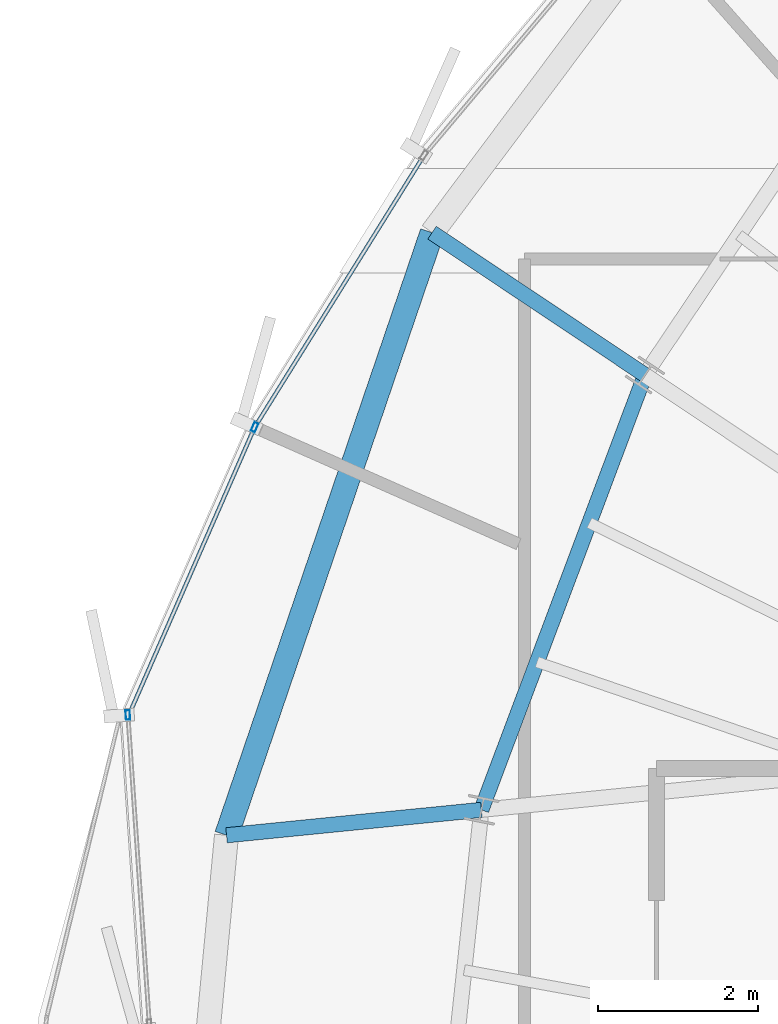
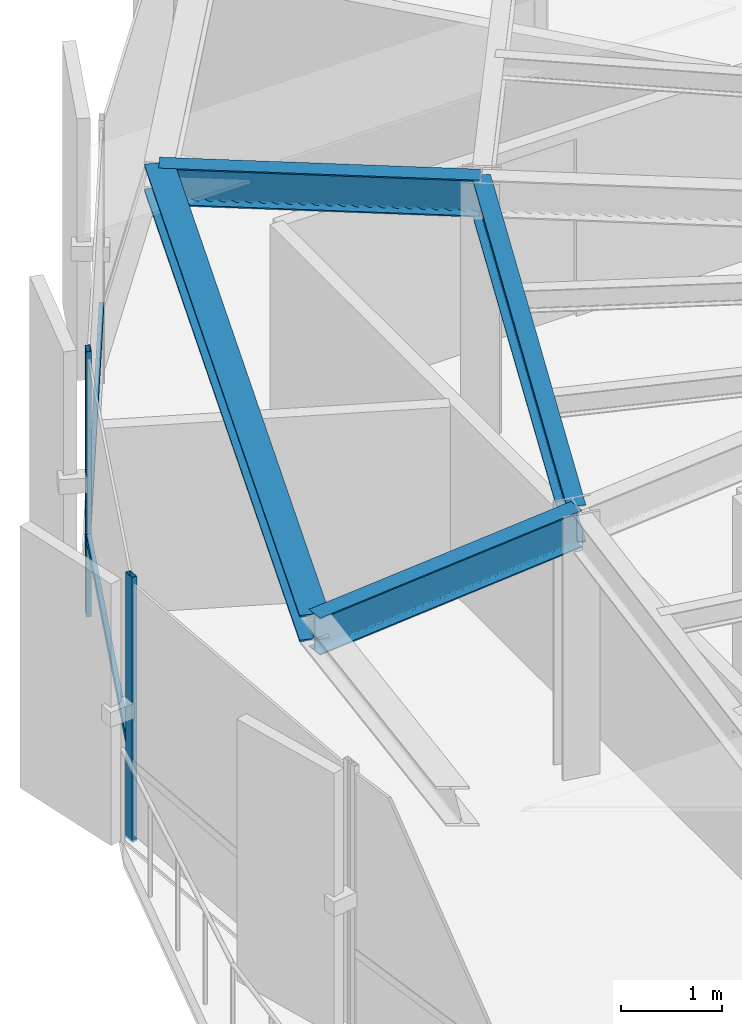
# One storey, part 11 of 32: 4 beams, 4 members, 1 element without a shape of its own.
"""IFC4 building model written with IfcOpenShell, lengths in metres."""

from ifc_helpers import new_model, si_unit, direction, frame, origin, origin_2d, place, context, subcontext, project, spatial, hollow_rectangle, i_section, extrude, source, transform, mapped, material, layer, layer_set, material_profile, profile_set, type_object, element, aggregate, save


model = new_model("IFC4")

# Units and contexts
model_context = context("Model", 3, precision=1e-05, world=origin(), true_north=direction((0.0, 1.0)))
body_context = subcontext(model_context, "Body", "Model", "MODEL_VIEW")
ifc_project = project(units=[si_unit("LENGTHUNIT", "METRE"), si_unit("AREAUNIT", "SQUARE_METRE"), si_unit("VOLUMEUNIT", "CUBIC_METRE"), si_unit("PLANEANGLEUNIT", "RADIAN"), si_unit("MASSUNIT", "GRAM", prefix="KILO"), si_unit("THERMODYNAMICTEMPERATUREUNIT", "KELVIN")], contexts=[model_context])

# Site, building, storey
site_placement = place(None, origin())
site = spatial("IfcSite", under=ifc_project, at=site_placement, CompositionType="ELEMENT")
building_placement = place(site_placement, origin())
building = spatial("IfcBuilding", under=site, at=building_placement, Name="Kethvar Cultural Tower", CompositionType="ELEMENT")
storey_placement = place(building_placement, frame((0.0, 0.0, 252.550048828125)))
storey = spatial("IfcBuildingStorey", under=building, at=storey_placement, Name="L66", CompositionType="ELEMENT", Elevation=252.550048828125)

# Beams
ifc_material_1 = material(Name="Steel S355J2", Category="steel")
ifc_material_profile_1 = material_profile(ifc_material_1, i_section(OverallWidth=0.18994140625, OverallDepth=0.449951171875, WebThickness=0.009521484375, FlangeThickness=0.0146484375, FilletRadius=0.02099609375, at=origin_2d()), Name="Steel S355J2 — IPE450")
ifc_profile_set_1 = profile_set([ifc_material_profile_1], Name="Steel S355J2 — IPE450")
beam_type_1 = type_object("IfcBeamType", Name="BM-IPE450", PredefinedType="BEAM", material=ifc_profile_set_1)
shared_shape_1 = source(origin(), body_context, "Body", "SweptSolid", [
    extrude(i_section(OverallWidth=0.18994140625, OverallDepth=0.449951171875, WebThickness=0.009521484375, FlangeThickness=0.0146484375, FilletRadius=0.02099609375, at=origin_2d()), origin(), (0.0, 0.0, 1.0), 3.2001953125),
])
beam_1_placement = place(storey_placement, frame((32.3125, 30.681884765625, 2.98291015625), z_axis=(-0.995047004836, -0.099405523829, 0.0), x_axis=(0.099405523829, -0.995047004836, 0.0)))
element("IfcBeam", 1, at=beam_1_placement, inside=storey, type_object=beam_type_1, Name="L66 Perimeter Cantilever Beam RC-08", PredefinedType="BEAM", context=body_context, shape_type="MappedRepresentation", body=[
    mapped(shared_shape_1, transform((0.0, 0.0, 0.0), scale=1.0)),
])
shared_shape_2 = source(origin(), body_context, "Body", "SweptSolid", [
    extrude(i_section(OverallWidth=0.18994140625, OverallDepth=0.449951171875, WebThickness=0.009521484375, FlangeThickness=0.0146484375, FilletRadius=0.02099609375, at=origin_2d()), origin(), (0.0, 0.0, 1.0), 3.19970703125),
])
beam_2_placement = place(storey_placement, frame((34.35595703125, 36.114990234375, 2.98291015625), z_axis=(-0.831498187863, 0.55552746429, 0.0), x_axis=(-0.55552746429, -0.831498187863, 0.0)))
element("IfcBeam", 2, at=beam_2_placement, inside=storey, type_object=beam_type_1, Name="L66 Perimeter Cantilever Beam RC-07", PredefinedType="BEAM", context=body_context, shape_type="MappedRepresentation", body=[
    mapped(shared_shape_2, transform((0.0, 0.0, 0.0), scale=1.0)),
])
shared_shape_3 = source(origin(), body_context, "Body", "SweptSolid", [
    extrude(i_section(OverallWidth=0.18994140625, OverallDepth=0.449951171875, WebThickness=0.009521484375, FlangeThickness=0.0146484375, FilletRadius=0.02099609375, at=origin_2d()), origin(), (0.0, 0.0, 1.0), 5.8046875),
])
beam_3_placement = place(storey_placement, frame((34.35595703125, 36.114990234375, 2.98291015625), z_axis=(-0.352035902861, -0.935986497283, 0.0), x_axis=(0.935986497283, -0.352035902861, 0.0)))
element("IfcBeam", 3, at=beam_3_placement, inside=storey, type_object=beam_type_1, Name="L66 Column Ring Tie Beam CR-07", PredefinedType="BEAM", context=body_context, shape_type="MappedRepresentation", body=[
    mapped(shared_shape_3, transform((0.0, 0.0, 0.0), scale=1.0)),
])
ifc_material_profile_2 = material_profile(ifc_material_1, i_section(OverallWidth=0.300048828125, OverallDepth=0.320068359375, WebThickness=0.011474609375, FlangeThickness=0.0205078125, FilletRadius=0.027099609375, at=origin_2d()), Name="Steel S355J2 — HEB320")
ifc_profile_set_2 = profile_set([ifc_material_profile_2], Name="Steel S355J2 — HEB320")
beam_type_2 = type_object("IfcBeamType", Name="BM-SP320", PredefinedType="SPANDREL", material=ifc_profile_set_2)
shared_shape_4 = source(origin(), body_context, "Body", "SweptSolid", [
    extrude(i_section(OverallWidth=0.300048828125, OverallDepth=0.320068359375, WebThickness=0.011474609375, FlangeThickness=0.0205078125, FilletRadius=0.027099609375, at=origin_2d()), origin(), (0.0, 0.0, 1.0), 7.954345703125),
])
beam_4_placement = place(storey_placement, frame((31.6953125, 37.892578125, 3.0478515625), z_axis=(-0.322730170507, -0.946491012659, 0.0), x_axis=(0.946491012659, -0.322730170507, 0.0)))
element("IfcBeam", 4, at=beam_4_placement, inside=storey, type_object=beam_type_2, Name="L66 Perimeter Spandrel Beam SP-07", PredefinedType="SPANDREL", context=body_context, shape_type="MappedRepresentation", body=[
    mapped(shared_shape_4, transform((0.0, 0.0, 0.0), scale=1.0)),
])

# Curtain wall, members
ifc_material_2 = material(Name="Aluminium 6063-T6", Category="aluminium")
ifc_layer = layer(ifc_material_2, 0.179931640625, Name="Aluminium 6063-T6", Category="aluminium")
ifc_layer_set = layer_set([ifc_layer], Name="Aluminium 6063-T6 (180 mm)")
curtain_wall_type = type_object("IfcCurtainWallType", Name="CW-SYS-05-Z56", PredefinedType="NOTDEFINED", material=ifc_layer_set)
curtain_wall_placement = place(storey_placement, origin())
curtain_wall = element("IfcCurtainWall", 5, at=curtain_wall_placement, inside=storey, type_object=curtain_wall_type, Name="L66 Curtain Wall Run 02", PredefinedType="NOTDEFINED")
ifc_material_profile_3 = material_profile(ifc_material_2, hollow_rectangle(XDim=0.054931640625, YDim=0.1201171875, WallThickness=0.00390625, at=origin_2d()), Name="Aluminium 6063-T6 — RHS120x55x4")
ifc_profile_set_3 = profile_set([ifc_material_profile_3], Name="Aluminium 6063-T6 — RHS120x55x4")
member_type_1 = type_object("IfcMemberType", Name="CW-SYS-05-Z56-MUL", PredefinedType="MULLION", material=ifc_profile_set_3)
shared_shape_5 = source(origin(), body_context, "Body", "SweptSolid", [
    extrude(hollow_rectangle(XDim=0.054931640625, YDim=0.1201171875, WallThickness=0.00390625, at=origin_2d()), origin(), (0.0, 0.0, 1.0), 3.2099609375),
])
member_1_placement = place(storey_placement, frame((29.4794921875, 35.461669921875, 0.0), z_axis=(0.0, 0.0, 1.0), x_axis=(0.916285851178, -0.400524954192, 0.0)))
member_1 = element("IfcMember", 6, at=member_1_placement, type_object=member_type_1, Name="CW-L66-R02 Mullion 5", PredefinedType="MULLION", context=body_context, shape_type="MappedRepresentation", body=[
    mapped(shared_shape_5, transform((0.0, 0.0, 0.0), scale=1.0)),
])
member_2_placement = place(storey_placement, frame((27.895751953125, 31.866943359375, 0.0), z_axis=(0.0, 0.0, 1.0), x_axis=(0.99759681146, 0.069286375032, 0.0)))
member_2 = element("IfcMember", 7, at=member_2_placement, type_object=member_type_1, Name="CW-L66-R02 Mullion 6", PredefinedType="MULLION", context=body_context, shape_type="MappedRepresentation", body=[
    mapped(shared_shape_5, transform((0.0, 0.0, 0.0), scale=1.0)),
])
ifc_material_profile_4 = material_profile(ifc_material_2, hollow_rectangle(XDim=0.050048828125, YDim=0.10009765625, WallThickness=0.00390625, at=origin_2d()), Name="Aluminium 6063-T6 — RHS100x50x4")
ifc_profile_set_4 = profile_set([ifc_material_profile_4], Name="Aluminium 6063-T6 — RHS100x50x4")
member_type_2 = type_object("IfcMemberType", Name="CW-SYS-05-Z56-TRN", PredefinedType="USERDEFINED", material=ifc_profile_set_4)
shared_shape_6 = source(origin(), body_context, "Body", "SweptSolid", [
    extrude(hollow_rectangle(XDim=0.050048828125, YDim=0.10009765625, WallThickness=0.00390625, at=origin_2d()), origin(), (0.0, 0.0, 1.0), 3.9345703125),
])
member_3_placement = place(storey_placement, frame((31.572998046875, 38.822998046875, 0.949951171875), z_axis=(-0.528469865535, -0.848952060614, 0.0), x_axis=(0.848952060614, -0.528469865535, 0.0)))
member_3 = element("IfcMember", 8, at=member_3_placement, type_object=member_type_2, Name="CW-L66-R02 Transom 4", ObjectType="TRANSOM", PredefinedType="USERDEFINED", context=body_context, shape_type="MappedRepresentation", body=[
    mapped(shared_shape_6, transform((0.0, 0.0, 0.0), scale=1.0)),
])
shared_shape_7 = source(origin(), body_context, "Body", "SweptSolid", [
    extrude(hollow_rectangle(XDim=0.050048828125, YDim=0.10009765625, WallThickness=0.00390625, at=origin_2d()), origin(), (0.0, 0.0, 1.0), 3.895263671875),
])
member_4_placement = place(storey_placement, frame((29.463623046875, 35.425537109375, 0.949951171875), z_axis=(-0.400490023972, -0.91630111901, 0.0), x_axis=(0.91630111901, -0.400490023972, 0.0)))
member_4 = element("IfcMember", 9, at=member_4_placement, type_object=member_type_2, Name="CW-L66-R02 Transom 5", ObjectType="TRANSOM", PredefinedType="USERDEFINED", context=body_context, shape_type="MappedRepresentation", body=[
    mapped(shared_shape_7, transform((0.0, 0.0, 0.0), scale=1.0)),
])
aggregate(curtain_wall, [member_1, member_2, member_3, member_4])

save(model, "model.ifc")
